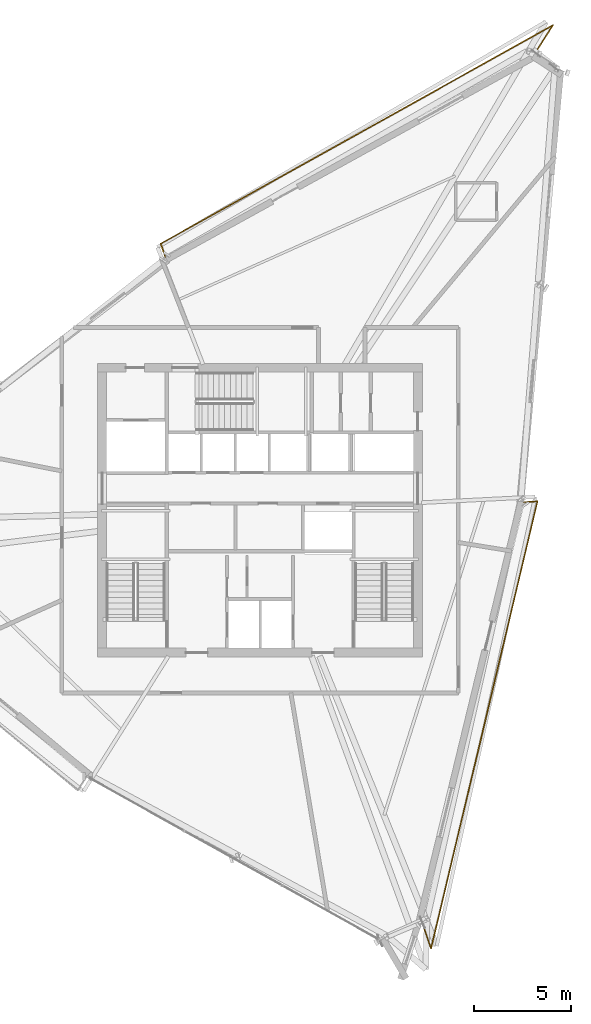
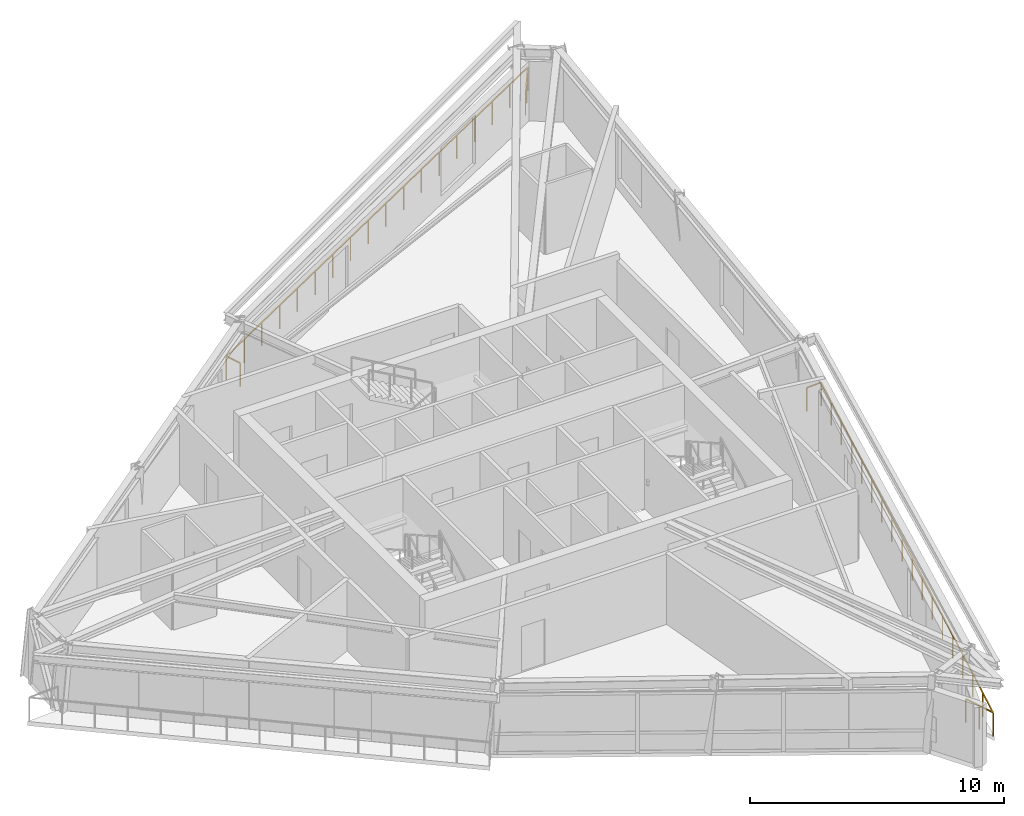
# One storey, part 13 of 13: 2 railings.
"""IFC4 building model written with IfcOpenShell, lengths in metres."""

from ifc_helpers import new_model, si_unit, direction, frame, origin, origin_2d, place, context, subcontext, project, spatial, rectangle, extrude, material, type_object, element, save


model = new_model("IFC4")

# Units and contexts
model_context = context("Model", 3, precision=1e-05, world=origin(), true_north=direction((0.0, 1.0)))
body_context = subcontext(model_context, "Body", "Model", "MODEL_VIEW")
ifc_project = project(units=[si_unit("LENGTHUNIT", "METRE"), si_unit("AREAUNIT", "SQUARE_METRE"), si_unit("VOLUMEUNIT", "CUBIC_METRE"), si_unit("PLANEANGLEUNIT", "RADIAN"), si_unit("MASSUNIT", "GRAM", prefix="KILO")], contexts=[model_context])

# Site, building, storey
site_placement = place(None, origin())
site = spatial("IfcSite", under=ifc_project, at=site_placement, CompositionType="ELEMENT")
building_placement = place(site_placement, origin())
building = spatial("IfcBuilding", under=site, at=building_placement, Name="Olszyna Solenne Hotel", CompositionType="ELEMENT")
storey_placement = place(building_placement, frame((0.0, 0.0, 266.89990234375)))
storey = spatial("IfcBuildingStorey", under=building, at=storey_placement, Name="L71", CompositionType="ELEMENT", Elevation=266.89990234375)

# Railings
ifc_material = material(Name="Anodised bronze aluminium", Category="aluminium")
railing_type = type_object("IfcRailingType", Name="GR-110", PredefinedType="BALUSTRADE", material=ifc_material)
railing_1_placement = place(storey_placement, frame((52.158203125, 50.137451171875, 0.0)))
element("IfcRailing", 1, at=railing_1_placement, inside=storey, type_object=railing_type, Name="Loggia balcony balustrade guard GR-L71-LG1", PredefinedType="BALUSTRADE", context=body_context, shape_type="SweptSolid", body=[
    extrude(rectangle(XDim=0.048095703125, YDim=0.048095703125, at=origin_2d()), frame((0.0, 0.0, 1.1259765625), z_axis=(0.542958092787, 0.839759792725, 0.0), x_axis=(-0.839759792725, 0.542958092787, 0.0)), (0.0, 0.0, 1.0), 1.692138671875),
    extrude(rectangle(XDim=0.048095703125, YDim=0.048095703125, at=origin_2d()), frame((0.918701171875, 1.4208984375, 1.1259765625), z_axis=(-0.873567013617, -0.486703886075, 0.0), x_axis=(0.486703886075, -0.873567013617, 0.0)), (0.0, 0.0, 1.0), 23.105712890625),
    extrude(rectangle(XDim=0.048095703125, YDim=0.048095703125, at=origin_2d()), frame((-19.265625, -9.82470703125, 1.1259765625), z_axis=(0.322933279616, -0.946421733117, 0.0), x_axis=(0.946421733117, 0.322933279616, 0.0)), (0.0, 0.0, 1.0), 0.709228515625),
    extrude(rectangle(XDim=0.0419921875, YDim=0.0419921875, at=origin_2d()), origin(), (0.0, 0.0, 1.0), 1.101806640625),
    extrude(rectangle(XDim=0.0419921875, YDim=0.0419921875, at=origin_2d()), frame((0.45947265625, 0.71044921875, 0.0)), (0.0, 0.0, 1.0), 1.101806640625),
    extrude(rectangle(XDim=0.0419921875, YDim=0.0419921875, at=origin_2d()), frame((0.918701171875, 1.4208984375, 0.0)), (0.0, 0.0, 1.0), 1.101806640625),
    extrude(rectangle(XDim=0.0419921875, YDim=0.0419921875, at=origin_2d()), frame((-0.2685546875, 0.75927734375, 0.0)), (0.0, 0.0, 1.0), 1.101806640625),
    extrude(rectangle(XDim=0.0419921875, YDim=0.0419921875, at=origin_2d()), frame((-1.455810546875, 0.097900390625, 0.0)), (0.0, 0.0, 1.0), 1.101806640625),
    extrude(rectangle(XDim=0.0419921875, YDim=0.0419921875, at=origin_2d()), frame((-2.643310546875, -0.563720703125, 0.0)), (0.0, 0.0, 1.0), 1.101806640625),
    extrude(rectangle(XDim=0.0419921875, YDim=0.0419921875, at=origin_2d()), frame((-3.83056640625, -1.22509765625, 0.0)), (0.0, 0.0, 1.0), 1.101806640625),
    extrude(rectangle(XDim=0.0419921875, YDim=0.0419921875, at=origin_2d()), frame((-5.017822265625, -1.88671875, 0.0)), (0.0, 0.0, 1.0), 1.101806640625),
    extrude(rectangle(XDim=0.0419921875, YDim=0.0419921875, at=origin_2d()), frame((-6.205078125, -2.548095703125, 0.0)), (0.0, 0.0, 1.0), 1.101806640625),
    extrude(rectangle(XDim=0.0419921875, YDim=0.0419921875, at=origin_2d()), frame((-7.392578125, -3.209716796875, 0.0)), (0.0, 0.0, 1.0), 1.101806640625),
    extrude(rectangle(XDim=0.0419921875, YDim=0.0419921875, at=origin_2d()), frame((-8.579833984375, -3.87109375, 0.0)), (0.0, 0.0, 1.0), 1.101806640625),
    extrude(rectangle(XDim=0.0419921875, YDim=0.0419921875, at=origin_2d()), frame((-9.76708984375, -4.53271484375, 0.0)), (0.0, 0.0, 1.0), 1.101806640625),
    extrude(rectangle(XDim=0.0419921875, YDim=0.0419921875, at=origin_2d()), frame((-10.954345703125, -5.194091796875, 0.0)), (0.0, 0.0, 1.0), 1.101806640625),
    extrude(rectangle(XDim=0.0419921875, YDim=0.0419921875, at=origin_2d()), frame((-12.141845703125, -5.855712890625, 0.0)), (0.0, 0.0, 1.0), 1.101806640625),
    extrude(rectangle(XDim=0.0419921875, YDim=0.0419921875, at=origin_2d()), frame((-13.3291015625, -6.51708984375, 0.0)), (0.0, 0.0, 1.0), 1.101806640625),
    extrude(rectangle(XDim=0.0419921875, YDim=0.0419921875, at=origin_2d()), frame((-14.516357421875, -7.1787109375, 0.0)), (0.0, 0.0, 1.0), 1.101806640625),
    extrude(rectangle(XDim=0.0419921875, YDim=0.0419921875, at=origin_2d()), frame((-15.70361328125, -7.840087890625, 0.0)), (0.0, 0.0, 1.0), 1.101806640625),
    extrude(rectangle(XDim=0.0419921875, YDim=0.0419921875, at=origin_2d()), frame((-16.89111328125, -8.501708984375, 0.0)), (0.0, 0.0, 1.0), 1.101806640625),
    extrude(rectangle(XDim=0.0419921875, YDim=0.0419921875, at=origin_2d()), frame((-18.078369140625, -9.1630859375, 0.0)), (0.0, 0.0, 1.0), 1.101806640625),
    extrude(rectangle(XDim=0.0419921875, YDim=0.0419921875, at=origin_2d()), frame((-19.265625, -9.82470703125, 0.0)), (0.0, 0.0, 1.0), 1.101806640625),
    extrude(rectangle(XDim=0.0419921875, YDim=0.0419921875, at=origin_2d()), frame((-19.03662109375, -10.495849609375, 0.0)), (0.0, 0.0, 1.0), 1.101806640625),
])
railing_2_placement = place(storey_placement, frame((46.339599609375, 5.3896484375, 0.0)))
element("IfcRailing", 2, at=railing_2_placement, inside=storey, type_object=railing_type, Name="Loggia balcony balustrade guard GR-L71-LG3", PredefinedType="BALUSTRADE", context=body_context, shape_type="SweptSolid", body=[
    extrude(rectangle(XDim=0.048095703125, YDim=0.048095703125, at=origin_2d()), frame((0.0, 0.0, 1.1259765625), z_axis=(0.32324160333, -0.946316472369, 0.0), x_axis=(0.946316472369, 0.32324160333, 0.0)), (0.0, 0.0, 1.0), 1.41845703125),
    extrude(rectangle(XDim=0.048095703125, YDim=0.048095703125, at=origin_2d()), frame((0.45849609375, -1.34228515625, 1.1259765625), z_axis=(0.23151028017, 0.972832457402, 0.0), x_axis=(-0.972832457402, 0.23151028017, 0.0)), (0.0, 0.0, 1.0), 23.651611328125),
    extrude(rectangle(XDim=0.048095703125, YDim=0.048095703125, at=origin_2d()), frame((5.93408203125, 21.666748046875, 1.1259765625), z_axis=(-0.998374213814, -0.056999378874, 0.0), x_axis=(0.056999378874, -0.998374213814, 0.0)), (0.0, 0.0, 1.0), 0.689697265625),
    extrude(rectangle(XDim=0.0419921875, YDim=0.0419921875, at=origin_2d()), origin(), (0.0, 0.0, 1.0), 1.101806640625),
    extrude(rectangle(XDim=0.0419921875, YDim=0.0419921875, at=origin_2d()), frame((0.229248046875, -0.671142578125, 0.0)), (0.0, 0.0, 1.0), 1.101806640625),
    extrude(rectangle(XDim=0.0419921875, YDim=0.0419921875, at=origin_2d()), frame((0.45849609375, -1.34228515625, 0.0)), (0.0, 0.0, 1.0), 1.101806640625),
    extrude(rectangle(XDim=0.0419921875, YDim=0.0419921875, at=origin_2d()), frame((0.780517578125, 0.01123046875, 0.0)), (0.0, 0.0, 1.0), 1.101806640625),
    extrude(rectangle(XDim=0.0419921875, YDim=0.0419921875, at=origin_2d()), frame((1.102783203125, 1.36474609375, 0.0)), (0.0, 0.0, 1.0), 1.101806640625),
    extrude(rectangle(XDim=0.0419921875, YDim=0.0419921875, at=origin_2d()), frame((1.4248046875, 2.718017578125, 0.0)), (0.0, 0.0, 1.0), 1.101806640625),
    extrude(rectangle(XDim=0.0419921875, YDim=0.0419921875, at=origin_2d()), frame((1.746826171875, 4.071533203125, 0.0)), (0.0, 0.0, 1.0), 1.101806640625),
    extrude(rectangle(XDim=0.0419921875, YDim=0.0419921875, at=origin_2d()), frame((2.06884765625, 5.425048828125, 0.0)), (0.0, 0.0, 1.0), 1.101806640625),
    extrude(rectangle(XDim=0.0419921875, YDim=0.0419921875, at=origin_2d()), frame((2.39111328125, 6.778564453125, 0.0)), (0.0, 0.0, 1.0), 1.101806640625),
    extrude(rectangle(XDim=0.0419921875, YDim=0.0419921875, at=origin_2d()), frame((2.713134765625, 8.132080078125, 0.0)), (0.0, 0.0, 1.0), 1.101806640625),
    extrude(rectangle(XDim=0.0419921875, YDim=0.0419921875, at=origin_2d()), frame((3.03515625, 9.485595703125, 0.0)), (0.0, 0.0, 1.0), 1.101806640625),
    extrude(rectangle(XDim=0.0419921875, YDim=0.0419921875, at=origin_2d()), frame((3.357421875, 10.8388671875, 0.0)), (0.0, 0.0, 1.0), 1.101806640625),
    extrude(rectangle(XDim=0.0419921875, YDim=0.0419921875, at=origin_2d()), frame((3.679443359375, 12.1923828125, 0.0)), (0.0, 0.0, 1.0), 1.101806640625),
    extrude(rectangle(XDim=0.0419921875, YDim=0.0419921875, at=origin_2d()), frame((4.00146484375, 13.5458984375, 0.0)), (0.0, 0.0, 1.0), 1.101806640625),
    extrude(rectangle(XDim=0.0419921875, YDim=0.0419921875, at=origin_2d()), frame((4.32373046875, 14.8994140625, 0.0)), (0.0, 0.0, 1.0), 1.101806640625),
    extrude(rectangle(XDim=0.0419921875, YDim=0.0419921875, at=origin_2d()), frame((4.645751953125, 16.2529296875, 0.0)), (0.0, 0.0, 1.0), 1.101806640625),
    extrude(rectangle(XDim=0.0419921875, YDim=0.0419921875, at=origin_2d()), frame((4.9677734375, 17.6064453125, 0.0)), (0.0, 0.0, 1.0), 1.101806640625),
    extrude(rectangle(XDim=0.0419921875, YDim=0.0419921875, at=origin_2d()), frame((5.289794921875, 18.959716796875, 0.0)), (0.0, 0.0, 1.0), 1.101806640625),
    extrude(rectangle(XDim=0.0419921875, YDim=0.0419921875, at=origin_2d()), frame((5.612060546875, 20.313232421875, 0.0)), (0.0, 0.0, 1.0), 1.101806640625),
    extrude(rectangle(XDim=0.0419921875, YDim=0.0419921875, at=origin_2d()), frame((5.93408203125, 21.666748046875, 0.0)), (0.0, 0.0, 1.0), 1.101806640625),
    extrude(rectangle(XDim=0.0419921875, YDim=0.0419921875, at=origin_2d()), frame((5.24560546875, 21.62744140625, 0.0)), (0.0, 0.0, 1.0), 1.101806640625),
])

save(model, "model.ifc")
